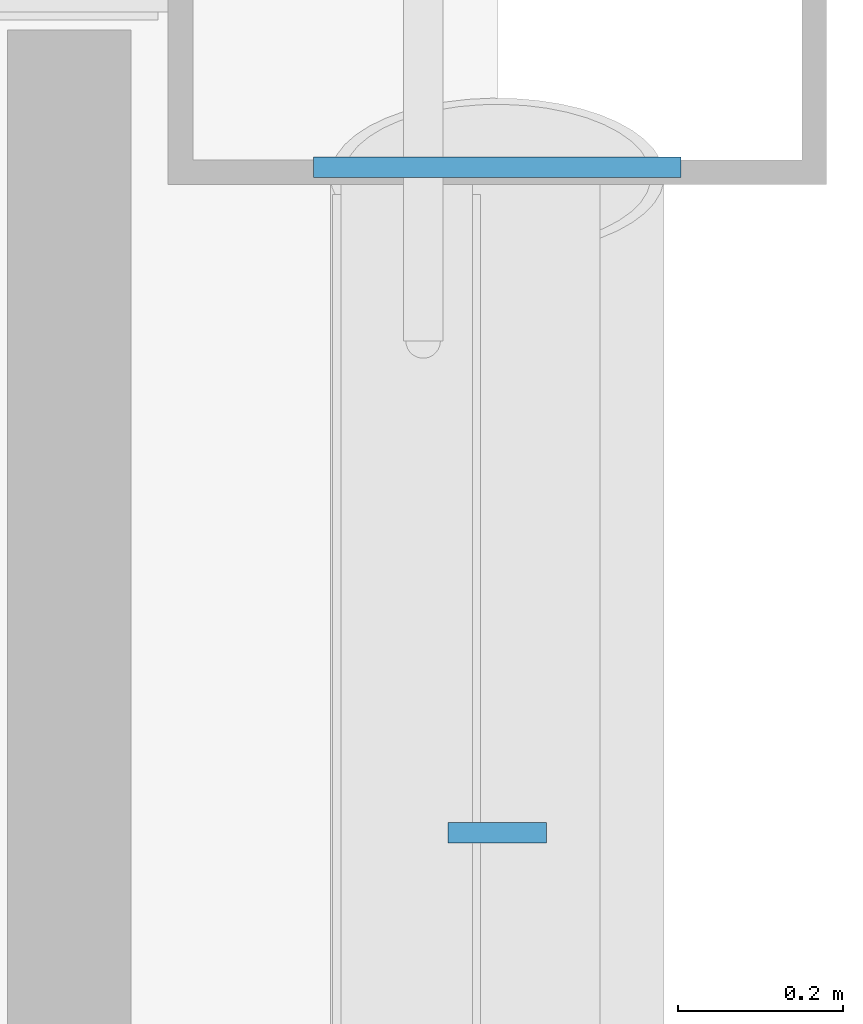
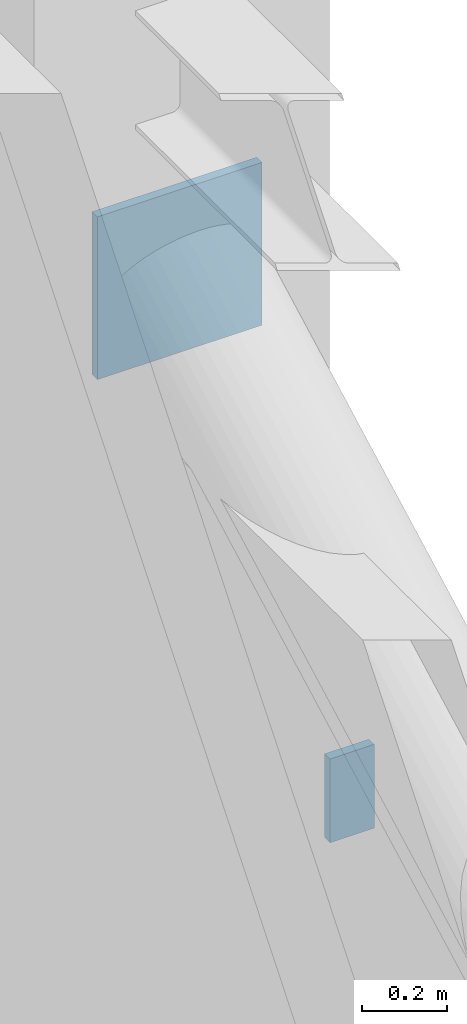
# One storey, part 9 of 15: 2 plates.
"""IFC4 building model written with IfcOpenShell, lengths in metres."""

from ifc_helpers import new_model, si_unit, direction, frame, origin, origin_2d, place, context, subcontext, project, spatial, rectangle, extrude, material, layer, layer_set, type_object, element, save


model = new_model("IFC4")

# Units and contexts
model_context = context("Model", 3, precision=1e-05, world=origin(), true_north=direction((0.0, 1.0)))
body_context = subcontext(model_context, "Body", "Model", "MODEL_VIEW")
ifc_project = project(units=[si_unit("LENGTHUNIT", "METRE"), si_unit("AREAUNIT", "SQUARE_METRE"), si_unit("VOLUMEUNIT", "CUBIC_METRE"), si_unit("PLANEANGLEUNIT", "RADIAN"), si_unit("MASSUNIT", "GRAM", prefix="KILO")], contexts=[model_context])

# Site, building, storey
site_placement = place(None, origin())
site = spatial("IfcSite", under=ifc_project, at=site_placement, CompositionType="ELEMENT")
building_placement = place(site_placement, origin())
building = spatial("IfcBuilding", under=site, at=building_placement, Name="Haolan Belvedere Tower", CompositionType="ELEMENT")
storey_placement = place(building_placement, frame((0.0, 0.0, 277.550048828125)))
storey = spatial("IfcBuildingStorey", under=building, at=storey_placement, Name="L70", CompositionType="ELEMENT", Elevation=277.550048828125)

# Plates
ifc_material = material(Name="Steel Q355B", Category="steel")
ifc_layer = layer(ifc_material, 0.02490234375, Name="Steel Q355B")
ifc_layer_set = layer_set([ifc_layer], Name="Steel Q355B")
plate_type = type_object("IfcPlateType", Name="PL-CAP-25", PredefinedType="SHEET", material=ifc_layer_set)
plate_1_placement = place(storey_placement, frame((52.800048828125, 45.220947265625, 3.37255859375), z_axis=(0.0, 0.0, 1.0), x_axis=(-1.0, 0.0, 0.0)))
element("IfcPlate", 1, at=plate_1_placement, inside=storey, type_object=plate_type, Name="Hollow steel end-cap plate BT-E4-L70-CAP1", PredefinedType="SHEET", context=body_context, shape_type="SweptSolid", body=[
    extrude(rectangle(XDim=0.446044921875, YDim=0.02490234375, at=origin_2d()), origin(), (0.0, 0.0, 1.0), 0.466064453125),
])
plate_2_placement = place(storey_placement, frame((52.800048828125, 44.41259765625, 2.47998046875), z_axis=(0.0, 0.0, 1.0), x_axis=(-1.0, 0.0, 0.0)))
element("IfcPlate", 2, at=plate_2_placement, inside=storey, type_object=plate_type, Name="Hollow steel end-cap plate GIRT-L70-GE-CAP1", PredefinedType="SHEET", context=body_context, shape_type="SweptSolid", body=[
    extrude(rectangle(XDim=0.1201171875, YDim=0.02490234375, at=origin_2d()), origin(), (0.0, 0.0, 1.0), 0.239990234375),
])

save(model, "model.ifc")
